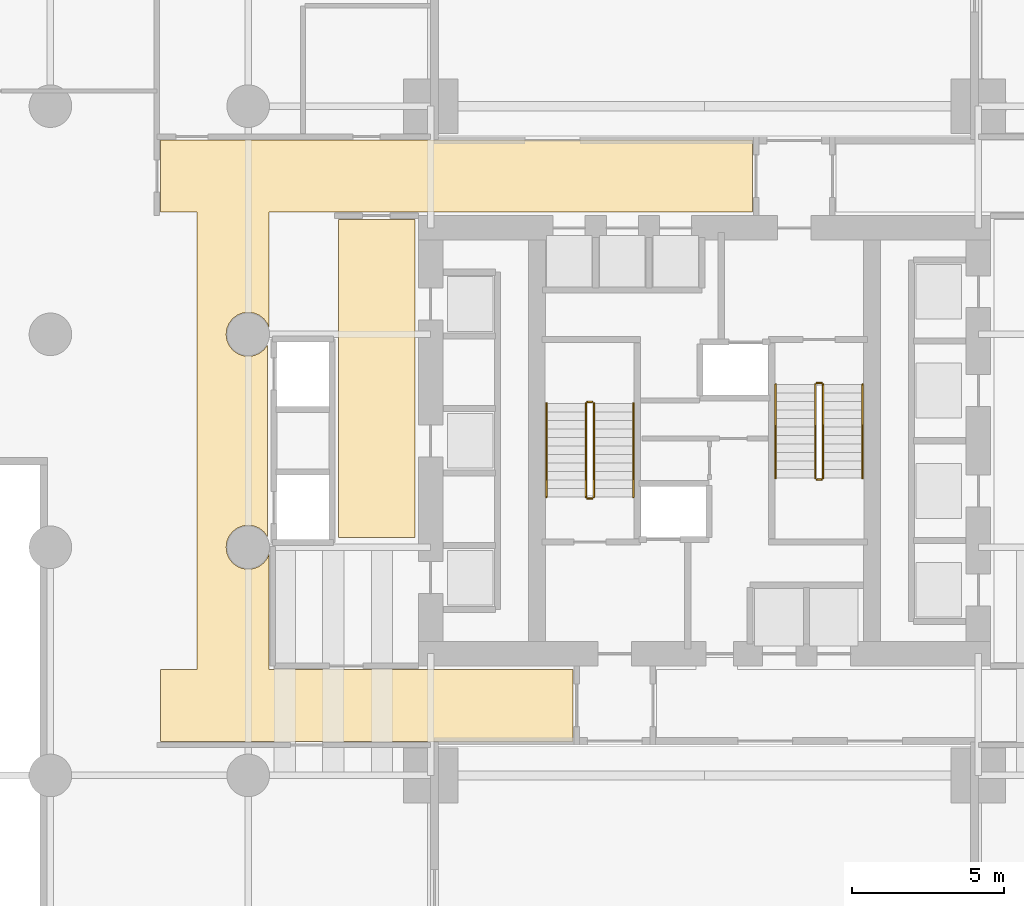
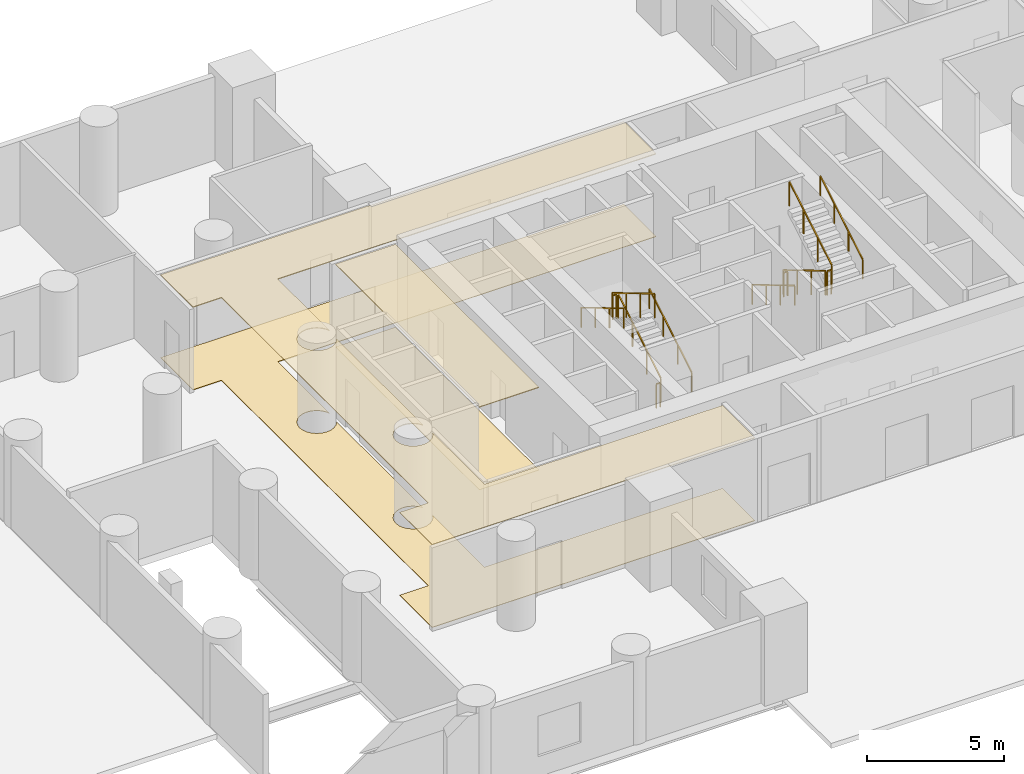
# One storey, part 7 of 10: 12 railings, 4 coverings.
"""IFC4 building model written with IfcOpenShell, lengths in metres."""

from ifc_helpers import new_model, si_unit, direction, frame, origin, origin_2d, place, context, subcontext, project, spatial, polyline, rectangle, outline, extrude, material, layer, layer_set, type_object, element, save


model = new_model("IFC4")

# Units and contexts
model_context = context("Model", 3, precision=1e-05, world=origin(), true_north=direction((0.0, 1.0)))
body_context = subcontext(model_context, "Body", "Model", "MODEL_VIEW")
ifc_project = project(units=[si_unit("LENGTHUNIT", "METRE"), si_unit("AREAUNIT", "SQUARE_METRE"), si_unit("VOLUMEUNIT", "CUBIC_METRE"), si_unit("PLANEANGLEUNIT", "RADIAN"), si_unit("MASSUNIT", "GRAM", prefix="KILO")], contexts=[model_context])

# Site, building, storey
site_placement = place(None, origin())
site = spatial("IfcSite", under=ifc_project, at=site_placement, CompositionType="ELEMENT")
building_placement = place(site_placement, origin())
building = spatial("IfcBuilding", under=site, at=building_placement, Name="Veldorim Arch Residences", CompositionType="ELEMENT")
storey_placement = place(building_placement, origin())
storey = spatial("IfcBuildingStorey", under=building, at=storey_placement, Name="L00", CompositionType="ELEMENT", Elevation=0.0)

# Railings
ifc_material_1 = material(Name="Steel S355", Category="steel")
railing_type_1 = type_object("IfcRailingType", Name="Galvanised Steel Stair Safety Guardrail 1100", PredefinedType="GUARDRAIL", material=ifc_material_1)
railing_1_placement = place(storey_placement, frame((28.360107421875, 22.14990234375, 0.166748046875)))
element("IfcRailing", 1, at=railing_1_placement, inside=storey, type_object=railing_type_1, Name="L00 ST-1 stair guard 1", PredefinedType="GUARDRAIL", context=body_context, shape_type="SweptSolid", body=[
    extrude(rectangle(XDim=0.048095703125, YDim=0.048095703125, at=origin_2d()), frame((0.0, 0.0, 1.076171875), z_axis=(0.0, 0.859308565015, 0.511457515432), x_axis=(-1.0, 0.0, 0.0)), (0.0, 0.0, 1.0), 3.58447265625),
    extrude(rectangle(XDim=0.0419921875, YDim=0.0419921875, at=origin_2d()), origin(), (0.0, 0.0, 1.0), 1.052001953125),
    extrude(rectangle(XDim=0.0419921875, YDim=0.0419921875, at=origin_2d()), frame((0.0, 1.026611328125, 0.611083984375)), (0.0, 0.0, 1.0), 1.052001953125),
    extrude(rectangle(XDim=0.0419921875, YDim=0.0419921875, at=origin_2d()), frame((0.0, 2.053466796875, 1.22216796875)), (0.0, 0.0, 1.0), 1.052001953125),
    extrude(rectangle(XDim=0.0419921875, YDim=0.0419921875, at=origin_2d()), frame((0.0, 3.080078125, 1.833251953125)), (0.0, 0.0, 1.0), 1.052001953125),
])
railing_2_placement = place(storey_placement, frame((28.31005859375, 25.280029296875, 2.0)))
element("IfcRailing", 2, at=railing_2_placement, inside=storey, type_object=railing_type_1, Name="L00 ST-1 stair guard 2", PredefinedType="GUARDRAIL", context=body_context, shape_type="SweptSolid", body=[
    extrude(rectangle(XDim=0.048095703125, YDim=0.048095703125, at=origin_2d()), frame((0.0, 0.0, 1.076171875), z_axis=(-1.0, 0.0, 0.0), x_axis=(0.0, -1.0, 0.0)), (0.0, 0.0, 1.0), 0.16015625),
    extrude(rectangle(XDim=0.0419921875, YDim=0.0419921875, at=origin_2d()), origin(), (0.0, 0.0, 1.0), 1.052001953125),
    extrude(rectangle(XDim=0.0419921875, YDim=0.0419921875, at=origin_2d()), frame((-0.16015625, 0.0, 0.0)), (0.0, 0.0, 1.0), 1.052001953125),
])
railing_3_placement = place(storey_placement, frame((28.10009765625, 25.22998046875, 2.166748046875)))
element("IfcRailing", 3, at=railing_3_placement, inside=storey, type_object=railing_type_1, Name="L00 ST-1 stair guard 3", PredefinedType="GUARDRAIL", context=body_context, shape_type="SweptSolid", body=[
    extrude(rectangle(XDim=0.048095703125, YDim=0.048095703125, at=origin_2d()), frame((0.0, 0.0, 1.076171875), z_axis=(0.0, -0.859308565015, 0.511457515432), x_axis=(1.0, 0.0, 0.0)), (0.0, 0.0, 1.0), 3.58447265625),
    extrude(rectangle(XDim=0.0419921875, YDim=0.0419921875, at=origin_2d()), origin(), (0.0, 0.0, 1.0), 1.052001953125),
    extrude(rectangle(XDim=0.0419921875, YDim=0.0419921875, at=origin_2d()), frame((0.0, -1.026611328125, 0.611083984375)), (0.0, 0.0, 1.0), 1.052001953125),
    extrude(rectangle(XDim=0.0419921875, YDim=0.0419921875, at=origin_2d()), frame((0.0, -2.053466796875, 1.22216796875)), (0.0, 0.0, 1.0), 1.052001953125),
    extrude(rectangle(XDim=0.0419921875, YDim=0.0419921875, at=origin_2d()), frame((0.0, -3.080078125, 1.833251953125)), (0.0, 0.0, 1.0), 1.052001953125),
])
railing_4_placement = place(storey_placement, frame((28.31005859375, 22.10009765625, 0.0)))
element("IfcRailing", 4, at=railing_4_placement, inside=storey, type_object=railing_type_1, Name="L00 ST-1 stair guard 4", PredefinedType="GUARDRAIL", context=body_context, shape_type="SweptSolid", body=[
    extrude(rectangle(XDim=0.048095703125, YDim=0.048095703125, at=origin_2d()), frame((0.0, 0.0, 1.076171875), z_axis=(-1.0, 0.0, 0.0), x_axis=(0.0, -1.0, 0.0)), (0.0, 0.0, 1.0), 0.16015625),
    extrude(rectangle(XDim=0.0419921875, YDim=0.0419921875, at=origin_2d()), origin(), (0.0, 0.0, 1.0), 1.052001953125),
    extrude(rectangle(XDim=0.0419921875, YDim=0.0419921875, at=origin_2d()), frame((-0.16015625, 0.0, 0.0)), (0.0, 0.0, 1.0), 1.052001953125),
])
railing_5_placement = place(storey_placement, frame((35.639892578125, 25.85009765625, 0.166748046875)))
element("IfcRailing", 5, at=railing_5_placement, inside=storey, type_object=railing_type_1, Name="L00 ST-2 stair guard 1", PredefinedType="GUARDRAIL", context=body_context, shape_type="SweptSolid", body=[
    extrude(rectangle(XDim=0.048095703125, YDim=0.048095703125, at=origin_2d()), frame((0.0, 0.0, 1.076171875), z_axis=(0.0, -0.859308565015, 0.511457515432), x_axis=(1.0, 0.0, 0.0)), (0.0, 0.0, 1.0), 3.58447265625),
    extrude(rectangle(XDim=0.0419921875, YDim=0.0419921875, at=origin_2d()), origin(), (0.0, 0.0, 1.0), 1.052001953125),
    extrude(rectangle(XDim=0.0419921875, YDim=0.0419921875, at=origin_2d()), frame((0.0, -1.026611328125, 0.611083984375)), (0.0, 0.0, 1.0), 1.052001953125),
    extrude(rectangle(XDim=0.0419921875, YDim=0.0419921875, at=origin_2d()), frame((0.0, -2.053466796875, 1.22216796875)), (0.0, 0.0, 1.0), 1.052001953125),
    extrude(rectangle(XDim=0.0419921875, YDim=0.0419921875, at=origin_2d()), frame((0.0, -3.080078125, 1.833251953125)), (0.0, 0.0, 1.0), 1.052001953125),
])
railing_6_placement = place(storey_placement, frame((35.68994140625, 22.719970703125, 2.0)))
element("IfcRailing", 6, at=railing_6_placement, inside=storey, type_object=railing_type_1, Name="L00 ST-2 stair guard 2", PredefinedType="GUARDRAIL", context=body_context, shape_type="SweptSolid", body=[
    extrude(rectangle(XDim=0.048095703125, YDim=0.048095703125, at=origin_2d()), frame((0.0, 0.0, 1.076171875), z_axis=(1.0, 0.0, 0.0), x_axis=(0.0, 1.0, 0.0)), (0.0, 0.0, 1.0), 0.16015625),
    extrude(rectangle(XDim=0.0419921875, YDim=0.0419921875, at=origin_2d()), origin(), (0.0, 0.0, 1.0), 1.052001953125),
    extrude(rectangle(XDim=0.0419921875, YDim=0.0419921875, at=origin_2d()), frame((0.16015625, 0.0, 0.0)), (0.0, 0.0, 1.0), 1.052001953125),
])
railing_7_placement = place(storey_placement, frame((35.89990234375, 22.77001953125, 2.166748046875)))
element("IfcRailing", 7, at=railing_7_placement, inside=storey, type_object=railing_type_1, Name="L00 ST-2 stair guard 3", PredefinedType="GUARDRAIL", context=body_context, shape_type="SweptSolid", body=[
    extrude(rectangle(XDim=0.048095703125, YDim=0.048095703125, at=origin_2d()), frame((0.0, 0.0, 1.076171875), z_axis=(0.0, 0.859308565015, 0.511457515432), x_axis=(-1.0, 0.0, 0.0)), (0.0, 0.0, 1.0), 3.58447265625),
    extrude(rectangle(XDim=0.0419921875, YDim=0.0419921875, at=origin_2d()), origin(), (0.0, 0.0, 1.0), 1.052001953125),
    extrude(rectangle(XDim=0.0419921875, YDim=0.0419921875, at=origin_2d()), frame((0.0, 1.026611328125, 0.611083984375)), (0.0, 0.0, 1.0), 1.052001953125),
    extrude(rectangle(XDim=0.0419921875, YDim=0.0419921875, at=origin_2d()), frame((0.0, 2.053466796875, 1.22216796875)), (0.0, 0.0, 1.0), 1.052001953125),
    extrude(rectangle(XDim=0.0419921875, YDim=0.0419921875, at=origin_2d()), frame((0.0, 3.080078125, 1.833251953125)), (0.0, 0.0, 1.0), 1.052001953125),
])
railing_8_placement = place(storey_placement, frame((35.68994140625, 25.89990234375, 0.0)))
element("IfcRailing", 8, at=railing_8_placement, inside=storey, type_object=railing_type_1, Name="L00 ST-2 stair guard 4", PredefinedType="GUARDRAIL", context=body_context, shape_type="SweptSolid", body=[
    extrude(rectangle(XDim=0.048095703125, YDim=0.048095703125, at=origin_2d()), frame((0.0, 0.0, 1.076171875), z_axis=(1.0, 0.0, 0.0), x_axis=(0.0, 1.0, 0.0)), (0.0, 0.0, 1.0), 0.16015625),
    extrude(rectangle(XDim=0.0419921875, YDim=0.0419921875, at=origin_2d()), origin(), (0.0, 0.0, 1.0), 1.052001953125),
    extrude(rectangle(XDim=0.0419921875, YDim=0.0419921875, at=origin_2d()), frame((0.16015625, 0.0, 0.0)), (0.0, 0.0, 1.0), 1.052001953125),
])

# Coverings
ifc_material_2 = material(Name="Acoustic Gypsum & Mineral Fibre", Category="gypsum")
ifc_layer_1 = layer(ifc_material_2, 0.034912109375, Name="Perforated Acoustic Mineral-Fibre Ceiling 35")
ifc_layer_set_1 = layer_set([ifc_layer_1], Name="Acoustic Gypsum & Mineral Fibre")
covering_type_1 = type_object("IfcCoveringType", Name="Perforated Acoustic Mineral-Fibre Ceiling 35", PredefinedType="CEILING", material=ifc_layer_set_1)
covering_1_placement = place(storey_placement, frame((0.0, 0.0, 3.6650390625)))
element("IfcCovering", 9, at=covering_1_placement, inside=storey, type_object=covering_type_1, Name="L00 acoustic suspended ceiling 03", PredefinedType="CEILING", context=body_context, shape_type="SweptSolid", body=[
    extrude(outline(polyline([(17.679931640625, 16.47998046875), (27.679931640625, 16.47998046875), (27.679931640625, 14.1201171875), (14.1201171875, 14.1201171875), (14.1201171875, 16.47998046875), (15.320068359375, 16.47998046875), (15.320068359375, 31.52001953125), (14.1201171875, 31.52001953125), (14.1201171875, 33.8798828125), (33.580078125, 33.8798828125), (33.580078125, 31.52001953125), (17.679931640625, 31.52001953125), (17.679931640625, 27.736572265625), (17.6279296875, 27.862548828125), (17.5126953125, 28.0126953125), (17.362548828125, 28.1279296875), (17.1875, 28.2001953125), (17.0, 28.22509765625), (16.8125, 28.2001953125), (16.637451171875, 28.1279296875), (16.4873046875, 28.0126953125), (16.3720703125, 27.862548828125), (16.2998046875, 27.6875), (16.27490234375, 27.5), (16.2998046875, 27.3125), (16.3720703125, 27.137451171875), (16.4873046875, 26.9873046875), (16.637451171875, 26.8720703125), (16.8125, 26.7998046875), (17.0, 26.77490234375), (17.1875, 26.7998046875), (17.362548828125, 26.8720703125), (17.5126953125, 26.9873046875), (17.6298828125, 27.142578125), (17.6298828125, 20.857421875), (17.5126953125, 21.0126953125), (17.362548828125, 21.1279296875), (17.1875, 21.2001953125), (17.0, 21.22509765625), (16.8125, 21.2001953125), (16.637451171875, 21.1279296875), (16.4873046875, 21.0126953125), (16.3720703125, 20.862548828125), (16.2998046875, 20.6875), (16.27490234375, 20.5), (16.2998046875, 20.3125), (16.3720703125, 20.137451171875), (16.4873046875, 19.9873046875), (16.637451171875, 19.8720703125), (16.8125, 19.7998046875), (17.0, 19.77490234375), (17.1875, 19.7998046875), (17.362548828125, 19.8720703125), (17.5126953125, 19.9873046875), (17.6279296875, 20.137451171875), (17.679931640625, 20.263427734375), (17.679931640625, 16.47998046875)])), origin(), (0.0, 0.0, 1.0), 0.034912109375),
])
covering_2_placement = place(storey_placement, frame((0.0, 0.0, 3.6650390625)))
element("IfcCovering", 10, at=covering_2_placement, inside=storey, type_object=covering_type_1, Name="L00 acoustic suspended ceiling 04", PredefinedType="CEILING", context=body_context, shape_type="SweptSolid", body=[
    extrude(outline(polyline([(22.47998046875, 31.280029296875), (22.47998046875, 20.820068359375), (19.969970703125, 20.820068359375), (19.969970703125, 31.280029296875), (22.47998046875, 31.280029296875)])), origin(), (0.0, 0.0, 1.0), 0.034912109375),
])
ifc_material_3 = material(Name="Porcelain Ceramic Tile", Category="ceramic")
ifc_layer_2 = layer(ifc_material_3, 0.02001953125, Name="Slip-Resistant Porcelain & Vinyl Floor Finish 20")
ifc_layer_set_2 = layer_set([ifc_layer_2], Name="Porcelain Ceramic Tile")
covering_type_2 = type_object("IfcCoveringType", Name="Slip-Resistant Porcelain & Vinyl Floor Finish 20", PredefinedType="FLOORING", material=ifc_layer_set_2)
covering_3_placement = place(storey_placement, origin())
element("IfcCovering", 11, at=covering_3_placement, inside=storey, type_object=covering_type_2, Name="L00 porcelain floor finish 03", PredefinedType="FLOORING", context=body_context, shape_type="SweptSolid", body=[
    extrude(outline(polyline([(17.679931640625, 16.47998046875), (27.679931640625, 16.47998046875), (27.679931640625, 14.1201171875), (14.1201171875, 14.1201171875), (14.1201171875, 16.47998046875), (15.320068359375, 16.47998046875), (15.320068359375, 31.52001953125), (14.1201171875, 31.52001953125), (14.1201171875, 33.8798828125), (33.580078125, 33.8798828125), (33.580078125, 31.52001953125), (17.679931640625, 31.52001953125), (17.679931640625, 27.736572265625), (17.6279296875, 27.862548828125), (17.5126953125, 28.0126953125), (17.362548828125, 28.1279296875), (17.1875, 28.2001953125), (17.0, 28.22509765625), (16.8125, 28.2001953125), (16.637451171875, 28.1279296875), (16.4873046875, 28.0126953125), (16.3720703125, 27.862548828125), (16.2998046875, 27.6875), (16.27490234375, 27.5), (16.2998046875, 27.3125), (16.3720703125, 27.137451171875), (16.4873046875, 26.9873046875), (16.637451171875, 26.8720703125), (16.8125, 26.7998046875), (17.0, 26.77490234375), (17.1875, 26.7998046875), (17.362548828125, 26.8720703125), (17.5126953125, 26.9873046875), (17.6298828125, 27.142578125), (17.6298828125, 20.857421875), (17.5126953125, 21.0126953125), (17.362548828125, 21.1279296875), (17.1875, 21.2001953125), (17.0, 21.22509765625), (16.8125, 21.2001953125), (16.637451171875, 21.1279296875), (16.4873046875, 21.0126953125), (16.3720703125, 20.862548828125), (16.2998046875, 20.6875), (16.27490234375, 20.5), (16.2998046875, 20.3125), (16.3720703125, 20.137451171875), (16.4873046875, 19.9873046875), (16.637451171875, 19.8720703125), (16.8125, 19.7998046875), (17.0, 19.77490234375), (17.1875, 19.7998046875), (17.362548828125, 19.8720703125), (17.5126953125, 19.9873046875), (17.6279296875, 20.137451171875), (17.679931640625, 20.263427734375), (17.679931640625, 16.47998046875)])), origin(), (0.0, 0.0, 1.0), 0.02001953125),
])
covering_4_placement = place(storey_placement, origin())
element("IfcCovering", 12, at=covering_4_placement, inside=storey, type_object=covering_type_2, Name="L00 porcelain floor finish 04", PredefinedType="FLOORING", context=body_context, shape_type="SweptSolid", body=[
    extrude(outline(polyline([(22.47998046875, 31.280029296875), (22.47998046875, 20.820068359375), (19.969970703125, 20.820068359375), (19.969970703125, 31.280029296875), (22.47998046875, 31.280029296875)])), origin(), (0.0, 0.0, 1.0), 0.02001953125),
])

# Railings
ifc_material_4 = material(Name="Stainless Steel", Category="steel")
railing_type_2 = type_object("IfcRailingType", Name="Tubular Steel Continuous Wall Handrail 900", PredefinedType="HANDRAIL", material=ifc_material_4)
railing_9_placement = place(storey_placement, frame((29.659912109375, 22.14990234375, 0.166748046875)))
element("IfcRailing", 13, at=railing_9_placement, inside=storey, type_object=railing_type_2, Name="L00 ST-1 stair handrail 1", PredefinedType="HANDRAIL", context=body_context, shape_type="SweptSolid", body=[
    extrude(rectangle(XDim=0.048095703125, YDim=0.048095703125, at=origin_2d()), frame((0.0, 0.0, 0.8759765625), z_axis=(0.0, 0.859308565015, 0.511457515432), x_axis=(-1.0, 0.0, 0.0)), (0.0, 0.0, 1.0), 3.58447265625),
    extrude(rectangle(XDim=0.0419921875, YDim=0.0419921875, at=origin_2d()), origin(), (0.0, 0.0, 1.0), 0.851806640625),
    extrude(rectangle(XDim=0.0419921875, YDim=0.0419921875, at=origin_2d()), frame((0.0, 1.026611328125, 0.611083984375)), (0.0, 0.0, 1.0), 0.851806640625),
    extrude(rectangle(XDim=0.0419921875, YDim=0.0419921875, at=origin_2d()), frame((0.0, 2.053466796875, 1.22216796875)), (0.0, 0.0, 1.0), 0.851806640625),
    extrude(rectangle(XDim=0.0419921875, YDim=0.0419921875, at=origin_2d()), frame((0.0, 3.080078125, 1.833251953125)), (0.0, 0.0, 1.0), 0.851806640625),
])
for number, where, name in (
    (14, (26.800048828125, 25.22998046875, 2.166748046875), "L00 ST-1 stair handrail 2"),
    (15, (34.340087890625, 25.85009765625, 0.166748046875), "L00 ST-2 stair handrail 1"),
):
    element("IfcRailing", number, at=place(storey_placement, frame(where)), inside=storey, type_object=railing_type_2, Name=name, PredefinedType="HANDRAIL", context=body_context, shape_type="SweptSolid", body=[
        extrude(rectangle(XDim=0.048095703125, YDim=0.048095703125, at=origin_2d()), frame((0.0, 0.0, 0.8759765625), z_axis=(0.0, -0.859308565015, 0.511457515432), x_axis=(1.0, 0.0, 0.0)), (0.0, 0.0, 1.0), 3.58447265625),
        extrude(rectangle(XDim=0.0419921875, YDim=0.0419921875, at=origin_2d()), origin(), (0.0, 0.0, 1.0), 0.851806640625),
        extrude(rectangle(XDim=0.0419921875, YDim=0.0419921875, at=origin_2d()), frame((0.0, -1.026611328125, 0.611083984375)), (0.0, 0.0, 1.0), 0.851806640625),
        extrude(rectangle(XDim=0.0419921875, YDim=0.0419921875, at=origin_2d()), frame((0.0, -2.053466796875, 1.22216796875)), (0.0, 0.0, 1.0), 0.851806640625),
        extrude(rectangle(XDim=0.0419921875, YDim=0.0419921875, at=origin_2d()), frame((0.0, -3.080078125, 1.833251953125)), (0.0, 0.0, 1.0), 0.851806640625),
    ])
railing_10_placement = place(storey_placement, frame((37.199951171875, 22.77001953125, 2.166748046875)))
element("IfcRailing", 16, at=railing_10_placement, inside=storey, type_object=railing_type_2, Name="L00 ST-2 stair handrail 2", PredefinedType="HANDRAIL", context=body_context, shape_type="SweptSolid", body=[
    extrude(rectangle(XDim=0.048095703125, YDim=0.048095703125, at=origin_2d()), frame((0.0, 0.0, 0.8759765625), z_axis=(0.0, 0.859308565015, 0.511457515432), x_axis=(-1.0, 0.0, 0.0)), (0.0, 0.0, 1.0), 3.58447265625),
    extrude(rectangle(XDim=0.0419921875, YDim=0.0419921875, at=origin_2d()), origin(), (0.0, 0.0, 1.0), 0.851806640625),
    extrude(rectangle(XDim=0.0419921875, YDim=0.0419921875, at=origin_2d()), frame((0.0, 1.026611328125, 0.611083984375)), (0.0, 0.0, 1.0), 0.851806640625),
    extrude(rectangle(XDim=0.0419921875, YDim=0.0419921875, at=origin_2d()), frame((0.0, 2.053466796875, 1.22216796875)), (0.0, 0.0, 1.0), 0.851806640625),
    extrude(rectangle(XDim=0.0419921875, YDim=0.0419921875, at=origin_2d()), frame((0.0, 3.080078125, 1.833251953125)), (0.0, 0.0, 1.0), 0.851806640625),
])

save(model, "model.ifc")
